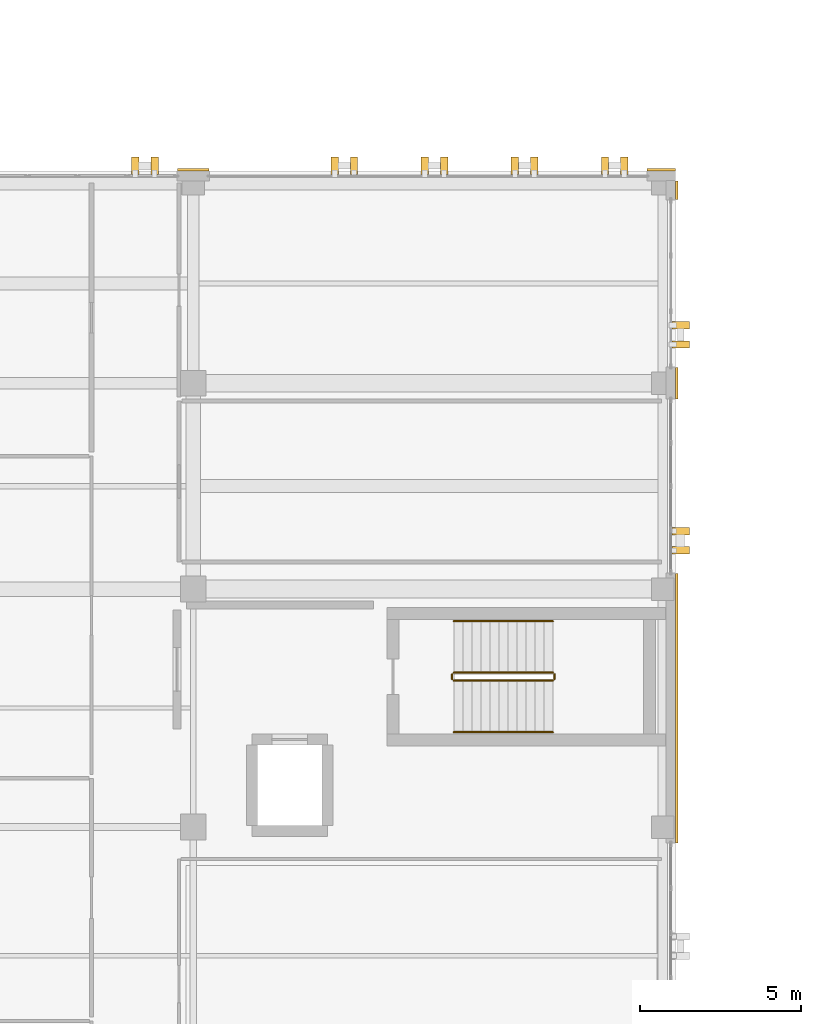
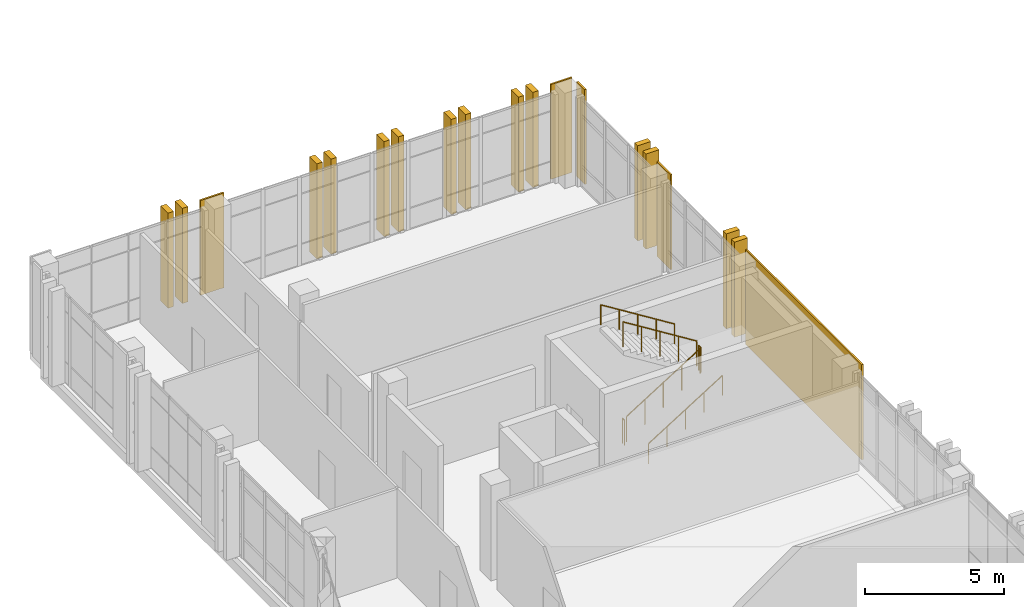
# One storey, part 186 of 193: 19 coverings, 6 railings.
"""IFC4 building model written with IfcOpenShell, lengths in metres."""

from ifc_helpers import new_model, si_unit, direction, frame, origin, origin_2d, place, context, subcontext, project, spatial, rectangle, circle, extrude, material, layer, layer_set, type_object, element, save


model = new_model("IFC4")

# Units and contexts
model_context = context("Model", 3, precision=1e-05, world=origin(), true_north=direction((0.0, 1.0)))
body_context = subcontext(model_context, "Body", "Model", "MODEL_VIEW")
ifc_project = project(units=[si_unit("LENGTHUNIT", "METRE"), si_unit("AREAUNIT", "SQUARE_METRE"), si_unit("VOLUMEUNIT", "CUBIC_METRE"), si_unit("PLANEANGLEUNIT", "RADIAN"), si_unit("MASSUNIT", "GRAM", prefix="KILO")], contexts=[model_context])

# Site, building, storey
site_placement = place(None, origin())
site = spatial("IfcSite", under=ifc_project, at=site_placement, CompositionType="ELEMENT")
building_placement = place(site_placement, origin())
building = spatial("IfcBuilding", under=site, at=building_placement, Name="Qalavern Law Courts", CompositionType="ELEMENT")
storey_placement = place(building_placement, frame((0.0, 0.0, 10.199951171875)))
storey = spatial("IfcBuildingStorey", under=building, at=storey_placement, Name="L02", CompositionType="ELEMENT", Elevation=10.199951171875)

# Coverings
ifc_material_1 = material(Name="Precast concrete C40/50", Category="concrete")
ifc_layer_1 = layer(ifc_material_1, 0.22998046875)
ifc_layer_set_1 = layer_set([ifc_layer_1], Name="Precast concrete C40/50")
covering_type_1 = type_object("IfcCoveringType", Name="ENV-BLD-2", PredefinedType="CLADDING", material=ifc_layer_set_1)
for number, where, z_axis, x_axis, name in (
    (1, (106.955078125, 74.0, 0.005126953125), (0.0, 0.0, 1.0), (1.0, 0.0, 0.0), "Absheron stone facade blade 0591"),
    (2, (106.955078125, 74.60009765625, 0.005126953125), (0.0, 0.0, 1.0), (1.0, 0.0, 0.0), "Absheron stone facade blade 0592"),
    (3, (106.955078125, 80.39990234375, 0.005126953125), (0.0, 0.0, 1.0), (1.0, 0.0, 0.0), "Absheron stone facade blade 0593"),
    (4, (106.955078125, 81.0, 0.005126953125), (0.0, 0.0, 1.0), (1.0, 0.0, 0.0), "Absheron stone facade blade 0594"),
    (5, (105.199951171875, 85.955078125, 0.005126953125), (0.0, 0.0, 1.0), (0.0, 1.0, 0.0), "Absheron stone facade blade 0595"),
    (6, (104.60009765625, 85.955078125, 0.005126953125), (0.0, 0.0, 1.0), (0.0, 1.0, 0.0), "Absheron stone facade blade 0596"),
    (7, (102.39990234375, 85.955078125, 0.005126953125), (0.0, 0.0, 1.0), (0.0, 1.0, 0.0), "Absheron stone facade blade 0597"),
    (8, (101.800048828125, 85.955078125, 0.005126953125), (0.0, 0.0, 1.0), (0.0, 1.0, 0.0), "Absheron stone facade blade 0598"),
    (9, (99.60009765625, 85.955078125, 0.005126953125), (0.0, 0.0, 1.0), (0.0, 1.0, 0.0), "Absheron stone facade blade 0599"),
    (10, (99.0, 85.955078125, 0.005126953125), (0.0, 0.0, 1.0), (0.0, 1.0, 0.0), "Absheron stone facade blade 0600"),
    (11, (96.800048828125, 85.955078125, 0.005126953125), (0.0, 0.0, 1.0), (0.0, 1.0, 0.0), "Absheron stone facade blade 0601"),
    (12, (96.199951171875, 85.955078125, 0.005126953125), (0.0, 0.0, 1.0), (0.0, 1.0, 0.0), "Absheron stone facade blade 0602"),
    (13, (90.60009765625, 85.955078125, 0.005126953125), (0.0, 0.0, 1.0), (0.0, 1.0, 0.0), "Absheron stone facade blade 0603"),
    (14, (90.0, 85.955078125, 0.005126953125), (0.0, 0.0, 1.0), (0.0, 1.0, 0.0), "Absheron stone facade blade 0604"),
):
    element("IfcCovering", number, at=place(storey_placement, frame(where, z_axis=z_axis, x_axis=x_axis)), inside=storey, type_object=covering_type_1, Name=name, PredefinedType="CLADDING", context=body_context, shape_type="SweptSolid", body=[
        extrude(rectangle(XDim=0.5400390625, YDim=0.22998046875, at=origin_2d()), origin(), (0.0, 0.0, 1.0), 4.18994140625),
    ])
ifc_layer_2 = layer(ifc_material_1, 0.072021484375)
ifc_layer_set_2 = layer_set([ifc_layer_2], Name="Precast concrete C40/50")
covering_type_2 = type_object("IfcCoveringType", Name="ENV-CLD-2", PredefinedType="CLADDING", material=ifc_layer_set_2)
covering_1_placement = place(storey_placement, frame((106.8330078125, 69.10009765625, 0.01025390625), z_axis=(0.0, 0.0, 1.0), x_axis=(0.0, 1.0, 0.0)))
element("IfcCovering", 15, at=covering_1_placement, inside=storey, type_object=covering_type_2, Name="V4 Absheron limestone pier facing L02 east 4", PredefinedType="CLADDING", context=body_context, shape_type="SweptSolid", body=[
    extrude(rectangle(XDim=8.3798828125, YDim=0.072021484375, at=origin_2d()), origin(), (0.0, 0.0, 1.0), 4.179931640625),
])
covering_2_placement = place(storey_placement, frame((106.8330078125, 79.199951171875, 0.01025390625), z_axis=(0.0, 0.0, 1.0), x_axis=(0.0, 1.0, 0.0)))
element("IfcCovering", 16, at=covering_2_placement, inside=storey, type_object=covering_type_2, Name="V4 Absheron limestone pier facing L02 east 5", PredefinedType="CLADDING", context=body_context, shape_type="SweptSolid", body=[
    extrude(rectangle(XDim=0.97998046875, YDim=0.072021484375, at=origin_2d()), origin(), (0.0, 0.0, 1.0), 4.179931640625),
])
covering_3_placement = place(storey_placement, frame((106.8330078125, 85.197509765625, 0.01025390625), z_axis=(0.0, 0.0, 1.0), x_axis=(0.0, 1.0, 0.0)))
element("IfcCovering", 17, at=covering_3_placement, inside=storey, type_object=covering_type_2, Name="V4 Absheron limestone pier facing L02 east 6", PredefinedType="CLADDING", context=body_context, shape_type="SweptSolid", body=[
    extrude(rectangle(XDim=0.574951171875, YDim=0.072021484375, at=origin_2d()), origin(), (0.0, 0.0, 1.0), 4.179931640625),
])
covering_4_placement = place(storey_placement, frame((106.35009765625, 85.8330078125, 0.01025390625), z_axis=(0.0, 0.0, 1.0), x_axis=(-1.0, 0.0, 0.0)))
element("IfcCovering", 18, at=covering_4_placement, inside=storey, type_object=covering_type_2, Name="V4 Absheron limestone pier facing L02 north 1", PredefinedType="CLADDING", context=body_context, shape_type="SweptSolid", body=[
    extrude(rectangle(XDim=0.8798828125, YDim=0.072021484375, at=origin_2d()), origin(), (0.0, 0.0, 1.0), 4.179931640625),
])
covering_5_placement = place(storey_placement, frame((91.800048828125, 85.8330078125, 0.01025390625), z_axis=(0.0, 0.0, 1.0), x_axis=(-1.0, 0.0, 0.0)))
element("IfcCovering", 19, at=covering_5_placement, inside=storey, type_object=covering_type_2, Name="V4 Absheron limestone pier facing L02 north 2", PredefinedType="CLADDING", context=body_context, shape_type="SweptSolid", body=[
    extrude(rectangle(XDim=0.97998046875, YDim=0.072021484375, at=origin_2d()), origin(), (0.0, 0.0, 1.0), 4.179931640625),
])

# Railings
ifc_material_2 = material(Name="Steel S355", Category="steel")
railing_type_1 = type_object("IfcRailingType", Name="INT-GUARD-1120", PredefinedType="BALUSTRADE", material=ifc_material_2)
railing_1_placement = place(storey_placement, frame((99.89990234375, 69.949951171875, 0.175048828125)))
element("IfcRailing", 20, at=railing_1_placement, inside=storey, type_object=railing_type_1, Name="L02 ST-K1B stair guard 1", PredefinedType="BALUSTRADE", context=body_context, shape_type="SweptSolid", body=[
    extrude(circle(Radius=0.02392578125, at=origin_2d()), frame((0.0, 0.0, 1.09619140625), z_axis=(0.847998304005, 0.0, 0.529998940003), x_axis=(0.0, 1.0, 0.0)), (0.0, 0.0, 1.0), 3.632080078125),
    extrude(circle(Radius=0.02099609375, at=origin_2d()), origin(), (0.0, 0.0, 1.0), 1.072021484375),
    extrude(circle(Radius=0.02099609375, at=origin_2d()), frame((0.77001953125, 0.0, 0.481201171875)), (0.0, 0.0, 1.0), 1.072021484375),
    extrude(circle(Radius=0.02099609375, at=origin_2d()), frame((1.5400390625, 0.0, 0.96240234375)), (0.0, 0.0, 1.0), 1.072021484375),
    extrude(circle(Radius=0.02099609375, at=origin_2d()), frame((2.31005859375, 0.0, 1.44384765625)), (0.0, 0.0, 1.0), 1.072021484375),
    extrude(circle(Radius=0.02099609375, at=origin_2d()), frame((3.080078125, 0.0, 1.925048828125)), (0.0, 0.0, 1.0), 1.072021484375),
])
railing_2_placement = place(storey_placement, frame((103.030029296875, 70.0, 2.10009765625)))
element("IfcRailing", 21, at=railing_2_placement, inside=storey, type_object=railing_type_1, Name="L02 ST-K1B stair guard 2", PredefinedType="BALUSTRADE", context=body_context, shape_type="SweptSolid", body=[
    extrude(circle(Radius=0.02392578125, at=origin_2d()), frame((0.0, 0.0, 1.09619140625), z_axis=(0.0, 1.0, 0.0), x_axis=(-1.0, 0.0, 0.0)), (0.0, 0.0, 1.0), 0.14990234375),
    extrude(circle(Radius=0.02099609375, at=origin_2d()), origin(), (0.0, 0.0, 1.0), 1.072021484375),
    extrude(circle(Radius=0.02099609375, at=origin_2d()), frame((0.0, 0.14990234375, 0.0)), (0.0, 0.0, 1.0), 1.072021484375),
])
railing_3_placement = place(storey_placement, frame((102.97998046875, 70.199951171875, 2.275146484375)))
element("IfcRailing", 22, at=railing_3_placement, inside=storey, type_object=railing_type_1, Name="L02 ST-K1B stair guard 3", PredefinedType="BALUSTRADE", context=body_context, shape_type="SweptSolid", body=[
    extrude(circle(Radius=0.02392578125, at=origin_2d()), frame((0.0, 0.0, 1.09619140625), z_axis=(-0.848028513186, 0.0, 0.529950602248), x_axis=(0.0, -1.0, 0.0)), (0.0, 0.0, 1.0), 3.632080078125),
    extrude(circle(Radius=0.02099609375, at=origin_2d()), origin(), (0.0, 0.0, 1.0), 1.072021484375),
    extrude(circle(Radius=0.02099609375, at=origin_2d()), frame((-0.77001953125, 0.0, 0.481201171875)), (0.0, 0.0, 1.0), 1.072021484375),
    extrude(circle(Radius=0.02099609375, at=origin_2d()), frame((-1.5400390625, 0.0, 0.96240234375)), (0.0, 0.0, 1.0), 1.072021484375),
    extrude(circle(Radius=0.02099609375, at=origin_2d()), frame((-2.31005859375, 0.0, 1.443603515625)), (0.0, 0.0, 1.0), 1.072021484375),
    extrude(circle(Radius=0.02099609375, at=origin_2d()), frame((-3.080078125, 0.0, 1.9248046875)), (0.0, 0.0, 1.0), 1.072021484375),
])
railing_4_placement = place(storey_placement, frame((99.85009765625, 70.0, 0.0)))
element("IfcRailing", 23, at=railing_4_placement, inside=storey, type_object=railing_type_1, Name="L02 ST-K1B stair guard 4", PredefinedType="BALUSTRADE", context=body_context, shape_type="SweptSolid", body=[
    extrude(circle(Radius=0.02392578125, at=origin_2d()), frame((0.0, 0.0, 1.09619140625), z_axis=(0.0, 1.0, 0.0), x_axis=(-1.0, 0.0, 0.0)), (0.0, 0.0, 1.0), 0.14990234375),
    extrude(circle(Radius=0.02099609375, at=origin_2d()), origin(), (0.0, 0.0, 1.0), 1.072021484375),
    extrude(circle(Radius=0.02099609375, at=origin_2d()), frame((0.0, 0.14990234375, 0.0)), (0.0, 0.0, 1.0), 1.072021484375),
])
railing_type_2 = type_object("IfcRailingType", Name="INT-HRAIL-920", PredefinedType="HANDRAIL", material=ifc_material_2)
railing_5_placement = place(storey_placement, frame((99.89990234375, 68.35009765625, 0.175048828125)))
element("IfcRailing", 24, at=railing_5_placement, inside=storey, type_object=railing_type_2, Name="L02 ST-K1B stair handrail 1", PredefinedType="HANDRAIL", context=body_context, shape_type="SweptSolid", body=[
    extrude(circle(Radius=0.02392578125, at=origin_2d()), frame((0.0, 0.0, 0.8759765625), z_axis=(0.847998304005, 0.0, 0.529998940003), x_axis=(0.0, 1.0, 0.0)), (0.0, 0.0, 1.0), 3.632080078125),
    extrude(circle(Radius=0.02099609375, at=origin_2d()), origin(), (0.0, 0.0, 1.0), 0.851806640625),
    extrude(circle(Radius=0.02099609375, at=origin_2d()), frame((0.77001953125, 0.0, 0.481201171875)), (0.0, 0.0, 1.0), 0.851806640625),
    extrude(circle(Radius=0.02099609375, at=origin_2d()), frame((1.5400390625, 0.0, 0.96240234375)), (0.0, 0.0, 1.0), 0.851806640625),
    extrude(circle(Radius=0.02099609375, at=origin_2d()), frame((2.31005859375, 0.0, 1.44384765625)), (0.0, 0.0, 1.0), 0.851806640625),
    extrude(circle(Radius=0.02099609375, at=origin_2d()), frame((3.080078125, 0.0, 1.925048828125)), (0.0, 0.0, 1.0), 0.851806640625),
])
railing_6_placement = place(storey_placement, frame((102.97998046875, 71.800048828125, 2.275146484375)))
element("IfcRailing", 25, at=railing_6_placement, inside=storey, type_object=railing_type_2, Name="L02 ST-K1B stair handrail 2", PredefinedType="HANDRAIL", context=body_context, shape_type="SweptSolid", body=[
    extrude(circle(Radius=0.02392578125, at=origin_2d()), frame((0.0, 0.0, 0.8759765625), z_axis=(-0.848028513186, 0.0, 0.529950602248), x_axis=(0.0, -1.0, 0.0)), (0.0, 0.0, 1.0), 3.632080078125),
    extrude(circle(Radius=0.02099609375, at=origin_2d()), origin(), (0.0, 0.0, 1.0), 0.851806640625),
    extrude(circle(Radius=0.02099609375, at=origin_2d()), frame((-0.77001953125, 0.0, 0.481201171875)), (0.0, 0.0, 1.0), 0.851806640625),
    extrude(circle(Radius=0.02099609375, at=origin_2d()), frame((-1.5400390625, 0.0, 0.96240234375)), (0.0, 0.0, 1.0), 0.851806640625),
    extrude(circle(Radius=0.02099609375, at=origin_2d()), frame((-2.31005859375, 0.0, 1.443603515625)), (0.0, 0.0, 1.0), 0.851806640625),
    extrude(circle(Radius=0.02099609375, at=origin_2d()), frame((-3.080078125, 0.0, 1.9248046875)), (0.0, 0.0, 1.0), 0.851806640625),
])

save(model, "model.ifc")
